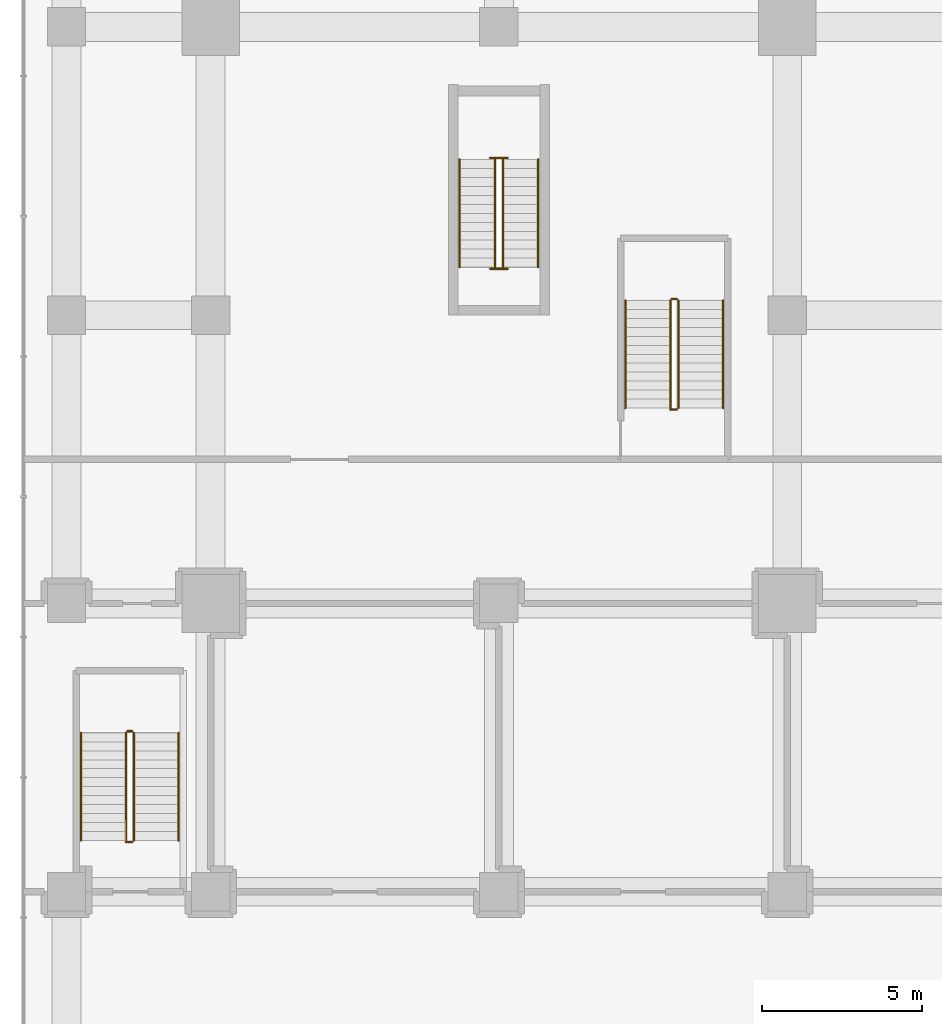
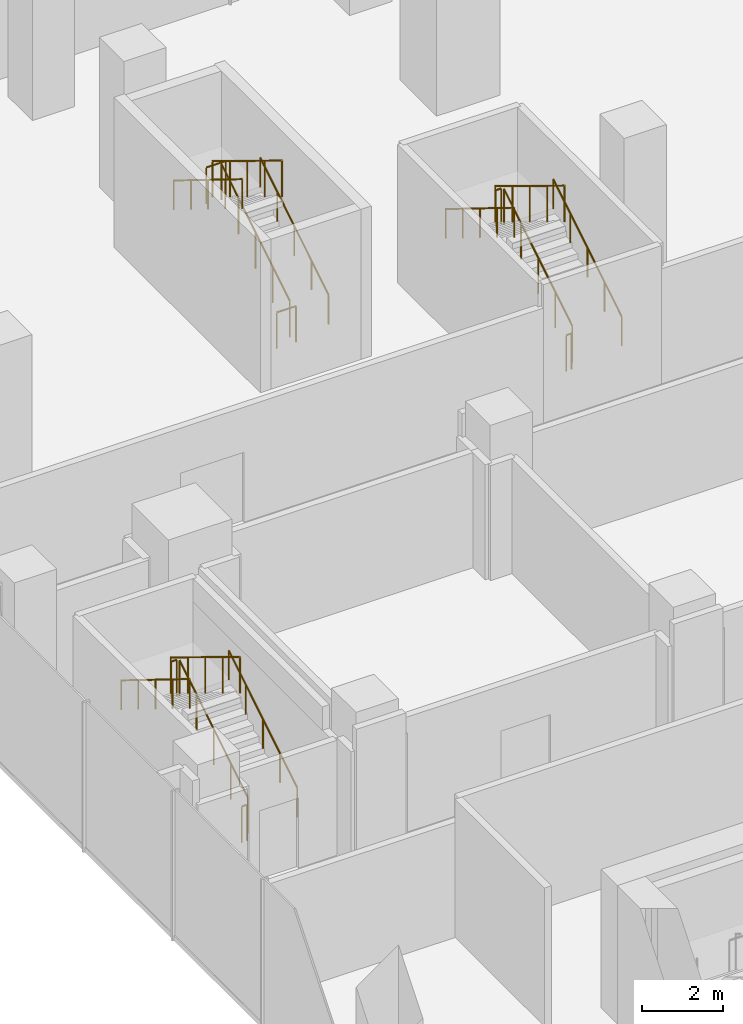
# One storey, part 40 of 43: 18 railings.
"""IFC4 building model written with IfcOpenShell, lengths in metres."""

from ifc_helpers import new_model, si_unit, direction, frame, origin, origin_2d, place, context, subcontext, project, spatial, circle, extrude, material, type_object, element, save


model = new_model("IFC4")

# Units and contexts
model_context = context("Model", 3, precision=1e-05, world=origin(), true_north=direction((0.0, 1.0)))
body_context = subcontext(model_context, "Body", "Model", "MODEL_VIEW")
ifc_project = project(units=[si_unit("LENGTHUNIT", "METRE"), si_unit("AREAUNIT", "SQUARE_METRE"), si_unit("VOLUMEUNIT", "CUBIC_METRE"), si_unit("PLANEANGLEUNIT", "RADIAN"), si_unit("MASSUNIT", "GRAM", prefix="KILO")], contexts=[model_context])

# Site, building, storey
site_placement = place(None, origin())
site = spatial("IfcSite", under=ifc_project, at=site_placement, CompositionType="ELEMENT")
building_placement = place(site_placement, origin())
building = spatial("IfcBuilding", under=site, at=building_placement, Name="Plateau Cross Towers", CompositionType="ELEMENT")
storey_placement = place(building_placement, frame((0.0, 0.0, 12.800048828125)))
storey = spatial("IfcBuildingStorey", under=building, at=storey_placement, Name="L02", CompositionType="ELEMENT", Elevation=12.800048828125)

# Railings
ifc_material_1 = material(Name="Stainless steel and toughened glass", Category="steel")
railing_type_1 = type_object("IfcRailingType", Name="RL-GUARD-1100", PredefinedType="GUARDRAIL", material=ifc_material_1)
railing_1_placement = place(storey_placement, frame((9.125, 46.5, 0.173095703125)))
element("IfcRailing", 1, at=railing_1_placement, inside=storey, type_object=railing_type_1, Name="L02 ES-N stair guard 1", PredefinedType="GUARDRAIL", context=body_context, shape_type="SweptSolid", body=[
    extrude(circle(Radius=0.02392578125, at=origin_2d()), frame((0.0, 0.0, 1.076171875), z_axis=(0.0, 0.850623216509, 0.525775754039), x_axis=(-1.0, 0.0, 0.0)), (0.0, 0.0, 1.0), 3.9501953125),
    extrude(circle(Radius=0.02099609375, at=origin_2d()), origin(), (0.0, 0.0, 1.0), 1.052001953125),
    extrude(circle(Radius=0.02099609375, at=origin_2d()), frame((0.0, 0.840087890625, 0.519287109375)), (0.0, 0.0, 1.0), 1.052001953125),
    extrude(circle(Radius=0.02099609375, at=origin_2d()), frame((0.0, 1.68017578125, 1.03857421875)), (0.0, 0.0, 1.0), 1.052001953125),
    extrude(circle(Radius=0.02099609375, at=origin_2d()), frame((0.0, 2.52001953125, 1.5576171875)), (0.0, 0.0, 1.0), 1.052001953125),
    extrude(circle(Radius=0.02099609375, at=origin_2d()), frame((0.0, 3.360107421875, 2.076904296875)), (0.0, 0.0, 1.0), 1.052001953125),
])
railing_2_placement = place(storey_placement, frame((9.27490234375, 49.909912109375, 2.25)))
element("IfcRailing", 2, at=railing_2_placement, inside=storey, type_object=railing_type_1, Name="L02 ES-N stair guard 2", PredefinedType="GUARDRAIL", context=body_context, shape_type="SweptSolid", body=[
    extrude(circle(Radius=0.02392578125, at=origin_2d()), frame((0.0, 0.0, 1.076171875), z_axis=(-1.0, 0.0, 0.0), x_axis=(0.0, -1.0, 0.0)), (0.0, 0.0, 1.0), 0.5498046875),
    extrude(circle(Radius=0.02099609375, at=origin_2d()), origin(), (0.0, 0.0, 1.0), 1.052001953125),
    extrude(circle(Radius=0.02099609375, at=origin_2d()), frame((-0.5498046875, 0.0, 0.0)), (0.0, 0.0, 1.0), 1.052001953125),
])
railing_3_placement = place(storey_placement, frame((8.875, 49.860107421875, 2.423095703125)))
element("IfcRailing", 3, at=railing_3_placement, inside=storey, type_object=railing_type_1, Name="L02 ES-N stair guard 3", PredefinedType="GUARDRAIL", context=body_context, shape_type="SweptSolid", body=[
    extrude(circle(Radius=0.02392578125, at=origin_2d()), frame((0.0, 0.0, 1.076171875), z_axis=(0.0, -0.854069830296, 0.520158365287), x_axis=(1.0, 0.0, 0.0)), (0.0, 0.0, 1.0), 3.992919921875),
    extrude(circle(Radius=0.02099609375, at=origin_2d()), origin(), (0.0, 0.0, 1.0), 1.052001953125),
    extrude(circle(Radius=0.02099609375, at=origin_2d()), frame((0.0, -0.8525390625, 0.519287109375)), (0.0, 0.0, 1.0), 1.052001953125),
    extrude(circle(Radius=0.02099609375, at=origin_2d()), frame((0.0, -1.705078125, 1.03857421875)), (0.0, 0.0, 1.0), 1.052001953125),
    extrude(circle(Radius=0.02099609375, at=origin_2d()), frame((0.0, -2.5576171875, 1.5576171875)), (0.0, 0.0, 1.0), 1.052001953125),
    extrude(circle(Radius=0.02099609375, at=origin_2d()), frame((0.0, -3.41015625, 2.076904296875)), (0.0, 0.0, 1.0), 1.052001953125),
])
railing_4_placement = place(storey_placement, frame((9.27490234375, 46.449951171875, 0.0)))
element("IfcRailing", 4, at=railing_4_placement, inside=storey, type_object=railing_type_1, Name="L02 ES-N stair guard 4", PredefinedType="GUARDRAIL", context=body_context, shape_type="SweptSolid", body=[
    extrude(circle(Radius=0.02392578125, at=origin_2d()), frame((0.0, 0.0, 1.076171875), z_axis=(-1.0, 0.0, 0.0), x_axis=(0.0, -1.0, 0.0)), (0.0, 0.0, 1.0), 0.5498046875),
    extrude(circle(Radius=0.02099609375, at=origin_2d()), origin(), (0.0, 0.0, 1.0), 1.052001953125),
    extrude(circle(Radius=0.02099609375, at=origin_2d()), frame((-0.5498046875, 0.0, 0.0)), (0.0, 0.0, 1.0), 1.052001953125),
])
railing_5_placement = place(storey_placement, frame((-2.39990234375, 28.60009765625, 0.173095703125)))
element("IfcRailing", 5, at=railing_5_placement, inside=storey, type_object=railing_type_1, Name="L02 PS4 stair guard 1", PredefinedType="GUARDRAIL", context=body_context, shape_type="SweptSolid", body=[
    extrude(circle(Radius=0.02392578125, at=origin_2d()), frame((0.0, 0.0, 1.076171875), z_axis=(0.0, 0.850606129759, 0.525803396734), x_axis=(-1.0, 0.0, 0.0)), (0.0, 0.0, 1.0), 3.949951171875),
    extrude(circle(Radius=0.02099609375, at=origin_2d()), origin(), (0.0, 0.0, 1.0), 1.052001953125),
    extrude(circle(Radius=0.02099609375, at=origin_2d()), frame((0.0, 0.83984375, 0.519287109375)), (0.0, 0.0, 1.0), 1.052001953125),
    extrude(circle(Radius=0.02099609375, at=origin_2d()), frame((0.0, 1.679931640625, 1.03857421875)), (0.0, 0.0, 1.0), 1.052001953125),
    extrude(circle(Radius=0.02099609375, at=origin_2d()), frame((0.0, 2.52001953125, 1.5576171875)), (0.0, 0.0, 1.0), 1.052001953125),
    extrude(circle(Radius=0.02099609375, at=origin_2d()), frame((0.0, 3.35986328125, 2.076904296875)), (0.0, 0.0, 1.0), 1.052001953125),
])
railing_6_placement = place(storey_placement, frame((-2.449951171875, 32.010009765625, 2.25)))
element("IfcRailing", 6, at=railing_6_placement, inside=storey, type_object=railing_type_1, Name="L02 PS4 stair guard 2", PredefinedType="GUARDRAIL", context=body_context, shape_type="SweptSolid", body=[
    extrude(circle(Radius=0.02392578125, at=origin_2d()), frame((0.0, 0.0, 1.076171875), z_axis=(-1.0, 0.0, 0.0), x_axis=(0.0, -1.0, 0.0)), (0.0, 0.0, 1.0), 0.150146484375),
    extrude(circle(Radius=0.02099609375, at=origin_2d()), origin(), (0.0, 0.0, 1.0), 1.052001953125),
    extrude(circle(Radius=0.02099609375, at=origin_2d()), frame((-0.150146484375, 0.0, 0.0)), (0.0, 0.0, 1.0), 1.052001953125),
])
railing_7_placement = place(storey_placement, frame((-2.64990234375, 31.9599609375, 2.423095703125)))
element("IfcRailing", 7, at=railing_7_placement, inside=storey, type_object=railing_type_1, Name="L02 PS4 stair guard 3", PredefinedType="GUARDRAIL", context=body_context, shape_type="SweptSolid", body=[
    extrude(circle(Radius=0.02392578125, at=origin_2d()), frame((0.0, 0.0, 1.076171875), z_axis=(0.0, -0.854053285388, 0.520185530092), x_axis=(1.0, 0.0, 0.0)), (0.0, 0.0, 1.0), 3.99267578125),
    extrude(circle(Radius=0.02099609375, at=origin_2d()), origin(), (0.0, 0.0, 1.0), 1.052001953125),
    extrude(circle(Radius=0.02099609375, at=origin_2d()), frame((0.0, -0.8525390625, 0.519287109375)), (0.0, 0.0, 1.0), 1.052001953125),
    extrude(circle(Radius=0.02099609375, at=origin_2d()), frame((0.0, -1.705078125, 1.03857421875)), (0.0, 0.0, 1.0), 1.052001953125),
    extrude(circle(Radius=0.02099609375, at=origin_2d()), frame((0.0, -2.557373046875, 1.5576171875)), (0.0, 0.0, 1.0), 1.052001953125),
    extrude(circle(Radius=0.02099609375, at=origin_2d()), frame((0.0, -3.409912109375, 2.076904296875)), (0.0, 0.0, 1.0), 1.052001953125),
])
railing_8_placement = place(storey_placement, frame((-2.449951171875, 28.550048828125, 0.0)))
element("IfcRailing", 8, at=railing_8_placement, inside=storey, type_object=railing_type_1, Name="L02 PS4 stair guard 4", PredefinedType="GUARDRAIL", context=body_context, shape_type="SweptSolid", body=[
    extrude(circle(Radius=0.02392578125, at=origin_2d()), frame((0.0, 0.0, 1.076171875), z_axis=(-1.0, 0.0, 0.0), x_axis=(0.0, -1.0, 0.0)), (0.0, 0.0, 1.0), 0.150146484375),
    extrude(circle(Radius=0.02099609375, at=origin_2d()), origin(), (0.0, 0.0, 1.0), 1.052001953125),
    extrude(circle(Radius=0.02099609375, at=origin_2d()), frame((-0.150146484375, 0.0, 0.0)), (0.0, 0.0, 1.0), 1.052001953125),
])
railing_9_placement = place(storey_placement, frame((14.60009765625, 42.10009765625, 0.173095703125)))
element("IfcRailing", 9, at=railing_9_placement, inside=storey, type_object=railing_type_1, Name="L02 PS6 stair guard 1", PredefinedType="GUARDRAIL", context=body_context, shape_type="SweptSolid", body=[
    extrude(circle(Radius=0.02392578125, at=origin_2d()), frame((0.0, 0.0, 1.076171875), z_axis=(0.0, 0.850606129759, 0.525803396734), x_axis=(-1.0, 0.0, 0.0)), (0.0, 0.0, 1.0), 3.949951171875),
    extrude(circle(Radius=0.02099609375, at=origin_2d()), origin(), (0.0, 0.0, 1.0), 1.052001953125),
    extrude(circle(Radius=0.02099609375, at=origin_2d()), frame((0.0, 0.83984375, 0.519287109375)), (0.0, 0.0, 1.0), 1.052001953125),
    extrude(circle(Radius=0.02099609375, at=origin_2d()), frame((0.0, 1.679931640625, 1.03857421875)), (0.0, 0.0, 1.0), 1.052001953125),
    extrude(circle(Radius=0.02099609375, at=origin_2d()), frame((0.0, 2.52001953125, 1.5576171875)), (0.0, 0.0, 1.0), 1.052001953125),
    extrude(circle(Radius=0.02099609375, at=origin_2d()), frame((0.0, 3.35986328125, 2.076904296875)), (0.0, 0.0, 1.0), 1.052001953125),
])
railing_10_placement = place(storey_placement, frame((14.550048828125, 45.510009765625, 2.25)))
element("IfcRailing", 10, at=railing_10_placement, inside=storey, type_object=railing_type_1, Name="L02 PS6 stair guard 2", PredefinedType="GUARDRAIL", context=body_context, shape_type="SweptSolid", body=[
    extrude(circle(Radius=0.02392578125, at=origin_2d()), frame((0.0, 0.0, 1.076171875), z_axis=(-1.0, 0.0, 0.0), x_axis=(0.0, -1.0, 0.0)), (0.0, 0.0, 1.0), 0.150146484375),
    extrude(circle(Radius=0.02099609375, at=origin_2d()), origin(), (0.0, 0.0, 1.0), 1.052001953125),
    extrude(circle(Radius=0.02099609375, at=origin_2d()), frame((-0.150146484375, 0.0, 0.0)), (0.0, 0.0, 1.0), 1.052001953125),
])
railing_11_placement = place(storey_placement, frame((14.35009765625, 45.4599609375, 2.423095703125)))
element("IfcRailing", 11, at=railing_11_placement, inside=storey, type_object=railing_type_1, Name="L02 PS6 stair guard 3", PredefinedType="GUARDRAIL", context=body_context, shape_type="SweptSolid", body=[
    extrude(circle(Radius=0.02392578125, at=origin_2d()), frame((0.0, 0.0, 1.076171875), z_axis=(0.0, -0.854053285388, 0.520185530092), x_axis=(1.0, 0.0, 0.0)), (0.0, 0.0, 1.0), 3.99267578125),
    extrude(circle(Radius=0.02099609375, at=origin_2d()), origin(), (0.0, 0.0, 1.0), 1.052001953125),
    extrude(circle(Radius=0.02099609375, at=origin_2d()), frame((0.0, -0.8525390625, 0.519287109375)), (0.0, 0.0, 1.0), 1.052001953125),
    extrude(circle(Radius=0.02099609375, at=origin_2d()), frame((0.0, -1.705078125, 1.03857421875)), (0.0, 0.0, 1.0), 1.052001953125),
    extrude(circle(Radius=0.02099609375, at=origin_2d()), frame((0.0, -2.557373046875, 1.5576171875)), (0.0, 0.0, 1.0), 1.052001953125),
    extrude(circle(Radius=0.02099609375, at=origin_2d()), frame((0.0, -3.409912109375, 2.076904296875)), (0.0, 0.0, 1.0), 1.052001953125),
])
railing_12_placement = place(storey_placement, frame((14.550048828125, 42.050048828125, 0.0)))
element("IfcRailing", 12, at=railing_12_placement, inside=storey, type_object=railing_type_1, Name="L02 PS6 stair guard 4", PredefinedType="GUARDRAIL", context=body_context, shape_type="SweptSolid", body=[
    extrude(circle(Radius=0.02392578125, at=origin_2d()), frame((0.0, 0.0, 1.076171875), z_axis=(-1.0, 0.0, 0.0), x_axis=(0.0, -1.0, 0.0)), (0.0, 0.0, 1.0), 0.150146484375),
    extrude(circle(Radius=0.02099609375, at=origin_2d()), origin(), (0.0, 0.0, 1.0), 1.052001953125),
    extrude(circle(Radius=0.02099609375, at=origin_2d()), frame((-0.150146484375, 0.0, 0.0)), (0.0, 0.0, 1.0), 1.052001953125),
])
ifc_material_2 = material(Name="Black anodised aluminium", Category="aluminium")
railing_type_2 = type_object("IfcRailingType", Name="RL-HANDRAIL-900", PredefinedType="HANDRAIL", material=ifc_material_2)
railing_13_placement = place(storey_placement, frame((10.22509765625, 46.5, 0.173095703125)))
element("IfcRailing", 13, at=railing_13_placement, inside=storey, type_object=railing_type_2, Name="L02 ES-N stair handrail 1", PredefinedType="HANDRAIL", context=body_context, shape_type="SweptSolid", body=[
    extrude(circle(Radius=0.02392578125, at=origin_2d()), frame((0.0, 0.0, 0.8759765625), z_axis=(0.0, 0.850623216509, 0.525775754039), x_axis=(-1.0, 0.0, 0.0)), (0.0, 0.0, 1.0), 3.9501953125),
    extrude(circle(Radius=0.02099609375, at=origin_2d()), origin(), (0.0, 0.0, 1.0), 0.851806640625),
    extrude(circle(Radius=0.02099609375, at=origin_2d()), frame((0.0, 0.840087890625, 0.519287109375)), (0.0, 0.0, 1.0), 0.851806640625),
    extrude(circle(Radius=0.02099609375, at=origin_2d()), frame((0.0, 1.68017578125, 1.03857421875)), (0.0, 0.0, 1.0), 0.851806640625),
    extrude(circle(Radius=0.02099609375, at=origin_2d()), frame((0.0, 2.52001953125, 1.5576171875)), (0.0, 0.0, 1.0), 0.851806640625),
    extrude(circle(Radius=0.02099609375, at=origin_2d()), frame((0.0, 3.360107421875, 2.076904296875)), (0.0, 0.0, 1.0), 0.851806640625),
])
railing_14_placement = place(storey_placement, frame((7.77490234375, 49.860107421875, 2.423095703125)))
element("IfcRailing", 14, at=railing_14_placement, inside=storey, type_object=railing_type_2, Name="L02 ES-N stair handrail 2", PredefinedType="HANDRAIL", context=body_context, shape_type="SweptSolid", body=[
    extrude(circle(Radius=0.02392578125, at=origin_2d()), frame((0.0, 0.0, 0.8759765625), z_axis=(0.0, -0.850623216509, 0.525775754039), x_axis=(1.0, 0.0, 0.0)), (0.0, 0.0, 1.0), 3.9501953125),
    extrude(circle(Radius=0.02099609375, at=origin_2d()), origin(), (0.0, 0.0, 1.0), 0.851806640625),
    extrude(circle(Radius=0.02099609375, at=origin_2d()), frame((0.0, -0.840087890625, 0.519287109375)), (0.0, 0.0, 1.0), 0.851806640625),
    extrude(circle(Radius=0.02099609375, at=origin_2d()), frame((0.0, -1.68017578125, 1.03857421875)), (0.0, 0.0, 1.0), 0.851806640625),
    extrude(circle(Radius=0.02099609375, at=origin_2d()), frame((0.0, -2.52001953125, 1.5576171875)), (0.0, 0.0, 1.0), 0.851806640625),
    extrude(circle(Radius=0.02099609375, at=origin_2d()), frame((0.0, -3.360107421875, 2.076904296875)), (0.0, 0.0, 1.0), 0.851806640625),
])
railing_15_placement = place(storey_placement, frame((-1.0, 28.60009765625, 0.173095703125)))
element("IfcRailing", 15, at=railing_15_placement, inside=storey, type_object=railing_type_2, Name="L02 PS4 stair handrail 1", PredefinedType="HANDRAIL", context=body_context, shape_type="SweptSolid", body=[
    extrude(circle(Radius=0.02392578125, at=origin_2d()), frame((0.0, 0.0, 0.8759765625), z_axis=(0.0, 0.850606129759, 0.525803396734), x_axis=(-1.0, 0.0, 0.0)), (0.0, 0.0, 1.0), 3.949951171875),
    extrude(circle(Radius=0.02099609375, at=origin_2d()), origin(), (0.0, 0.0, 1.0), 0.851806640625),
    extrude(circle(Radius=0.02099609375, at=origin_2d()), frame((0.0, 0.83984375, 0.519287109375)), (0.0, 0.0, 1.0), 0.851806640625),
    extrude(circle(Radius=0.02099609375, at=origin_2d()), frame((0.0, 1.679931640625, 1.03857421875)), (0.0, 0.0, 1.0), 0.851806640625),
    extrude(circle(Radius=0.02099609375, at=origin_2d()), frame((0.0, 2.52001953125, 1.5576171875)), (0.0, 0.0, 1.0), 0.851806640625),
    extrude(circle(Radius=0.02099609375, at=origin_2d()), frame((0.0, 3.35986328125, 2.076904296875)), (0.0, 0.0, 1.0), 0.851806640625),
])
railing_16_placement = place(storey_placement, frame((-4.050048828125, 31.9599609375, 2.423095703125)))
element("IfcRailing", 16, at=railing_16_placement, inside=storey, type_object=railing_type_2, Name="L02 PS4 stair handrail 2", PredefinedType="HANDRAIL", context=body_context, shape_type="SweptSolid", body=[
    extrude(circle(Radius=0.02392578125, at=origin_2d()), frame((0.0, 0.0, 0.8759765625), z_axis=(0.0, -0.850606129759, 0.525803396734), x_axis=(1.0, 0.0, 0.0)), (0.0, 0.0, 1.0), 3.949951171875),
    extrude(circle(Radius=0.02099609375, at=origin_2d()), origin(), (0.0, 0.0, 1.0), 0.851806640625),
    extrude(circle(Radius=0.02099609375, at=origin_2d()), frame((0.0, -0.83984375, 0.519287109375)), (0.0, 0.0, 1.0), 0.851806640625),
    extrude(circle(Radius=0.02099609375, at=origin_2d()), frame((0.0, -1.679931640625, 1.03857421875)), (0.0, 0.0, 1.0), 0.851806640625),
    extrude(circle(Radius=0.02099609375, at=origin_2d()), frame((0.0, -2.52001953125, 1.5576171875)), (0.0, 0.0, 1.0), 0.851806640625),
    extrude(circle(Radius=0.02099609375, at=origin_2d()), frame((0.0, -3.35986328125, 2.076904296875)), (0.0, 0.0, 1.0), 0.851806640625),
])
railing_17_placement = place(storey_placement, frame((16.0, 42.10009765625, 0.173095703125)))
element("IfcRailing", 17, at=railing_17_placement, inside=storey, type_object=railing_type_2, Name="L02 PS6 stair handrail 1", PredefinedType="HANDRAIL", context=body_context, shape_type="SweptSolid", body=[
    extrude(circle(Radius=0.02392578125, at=origin_2d()), frame((0.0, 0.0, 0.8759765625), z_axis=(0.0, 0.850606129759, 0.525803396734), x_axis=(-1.0, 0.0, 0.0)), (0.0, 0.0, 1.0), 3.949951171875),
    extrude(circle(Radius=0.02099609375, at=origin_2d()), origin(), (0.0, 0.0, 1.0), 0.851806640625),
    extrude(circle(Radius=0.02099609375, at=origin_2d()), frame((0.0, 0.83984375, 0.519287109375)), (0.0, 0.0, 1.0), 0.851806640625),
    extrude(circle(Radius=0.02099609375, at=origin_2d()), frame((0.0, 1.679931640625, 1.03857421875)), (0.0, 0.0, 1.0), 0.851806640625),
    extrude(circle(Radius=0.02099609375, at=origin_2d()), frame((0.0, 2.52001953125, 1.5576171875)), (0.0, 0.0, 1.0), 0.851806640625),
    extrude(circle(Radius=0.02099609375, at=origin_2d()), frame((0.0, 3.35986328125, 2.076904296875)), (0.0, 0.0, 1.0), 0.851806640625),
])
railing_18_placement = place(storey_placement, frame((12.949951171875, 45.4599609375, 2.423095703125)))
element("IfcRailing", 18, at=railing_18_placement, inside=storey, type_object=railing_type_2, Name="L02 PS6 stair handrail 2", PredefinedType="HANDRAIL", context=body_context, shape_type="SweptSolid", body=[
    extrude(circle(Radius=0.02392578125, at=origin_2d()), frame((0.0, 0.0, 0.8759765625), z_axis=(0.0, -0.850606129759, 0.525803396734), x_axis=(1.0, 0.0, 0.0)), (0.0, 0.0, 1.0), 3.949951171875),
    extrude(circle(Radius=0.02099609375, at=origin_2d()), origin(), (0.0, 0.0, 1.0), 0.851806640625),
    extrude(circle(Radius=0.02099609375, at=origin_2d()), frame((0.0, -0.83984375, 0.519287109375)), (0.0, 0.0, 1.0), 0.851806640625),
    extrude(circle(Radius=0.02099609375, at=origin_2d()), frame((0.0, -1.679931640625, 1.03857421875)), (0.0, 0.0, 1.0), 0.851806640625),
    extrude(circle(Radius=0.02099609375, at=origin_2d()), frame((0.0, -2.52001953125, 1.5576171875)), (0.0, 0.0, 1.0), 0.851806640625),
    extrude(circle(Radius=0.02099609375, at=origin_2d()), frame((0.0, -3.35986328125, 2.076904296875)), (0.0, 0.0, 1.0), 0.851806640625),
])

save(model, "model.ifc")
